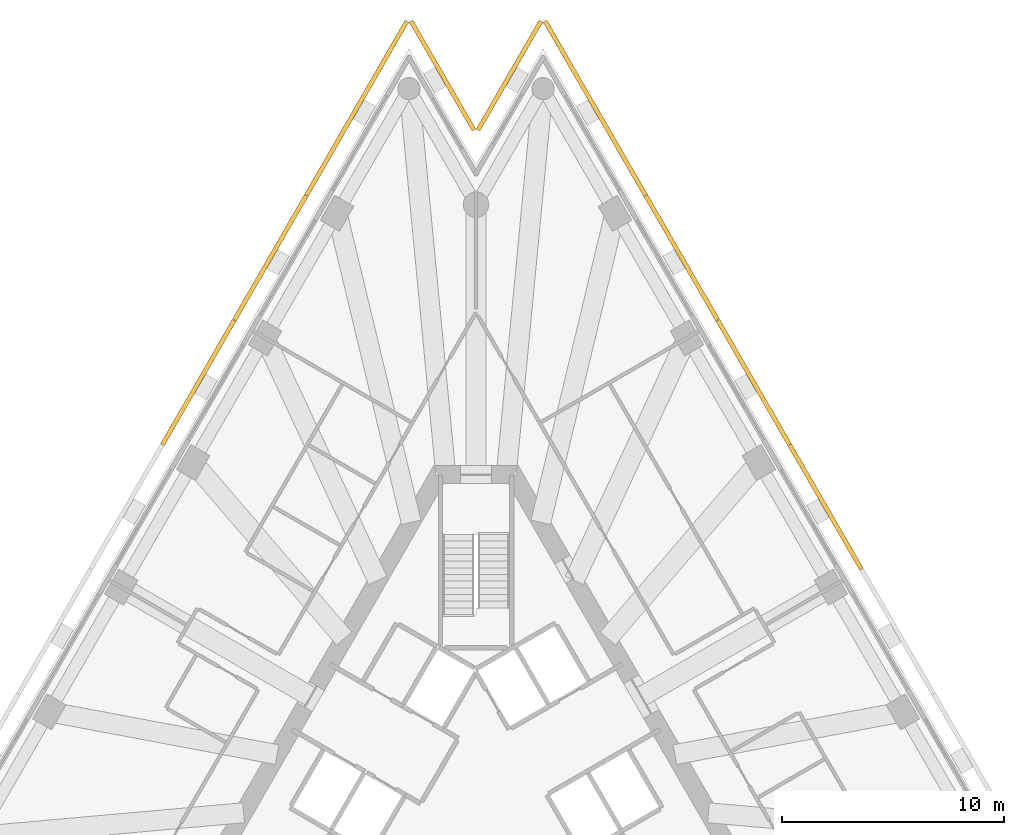
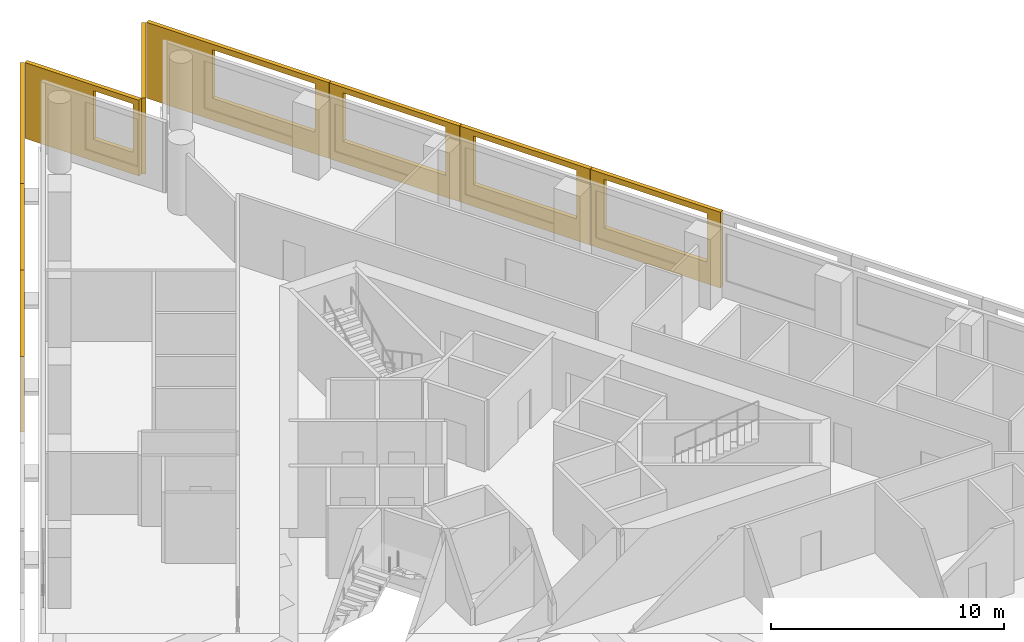
# One storey, part 9 of 9: 9 shading devices.
"""IFC4 building model written with IfcOpenShell, lengths in metres."""

from ifc_helpers import new_model, si_unit, direction, frame, origin, place, context, subcontext, project, spatial, polyline, outline, extrude, material, layer, layer_set, type_object, element, save


model = new_model("IFC4")

# Units and contexts
model_context = context("Model", 3, precision=1e-05, world=origin(), true_north=direction((0.0, 1.0)))
body_context = subcontext(model_context, "Body", "Model", "MODEL_VIEW")
ifc_project = project(units=[si_unit("LENGTHUNIT", "METRE"), si_unit("AREAUNIT", "SQUARE_METRE"), si_unit("VOLUMEUNIT", "CUBIC_METRE"), si_unit("PLANEANGLEUNIT", "RADIAN"), si_unit("MASSUNIT", "GRAM", prefix="KILO")], contexts=[model_context])

# Site, building, storey
site_placement = place(None, origin())
site = spatial("IfcSite", under=ifc_project, at=site_placement, CompositionType="ELEMENT")
building_placement = place(site_placement, origin())
building = spatial("IfcBuilding", under=site, at=building_placement, Name="Triada Interchange Tower", CompositionType="ELEMENT")
storey_placement = place(building_placement, frame((0.0, 0.0, 164.300048828125)))
storey = spatial("IfcBuildingStorey", under=building, at=storey_placement, Name="L38", CompositionType="ELEMENT", Elevation=164.300048828125)

# Shading devices
ifc_material = material(Name="Concrete C50/60 precast", Category="concrete")
ifc_layer_1 = layer(ifc_material, 0.02001953125, Name="Exposed aggregate face")
ifc_layer_2 = layer(ifc_material, 0.179931640625, Name="Precast concrete screen")
ifc_layer_set = layer_set([ifc_layer_1, ifc_layer_2], Name="Outer skin screen panel 3980")
shading_device_type = type_object("IfcShadingDeviceType", Name="Outer skin screen panel 3980", PredefinedType="SHUTTER", material=ifc_layer_set)
shading_device_1_placement = place(storey_placement, frame((-3.02197265625, 34.673095703125, -0.2900390625), z_axis=(0.0, 0.0, 1.0), x_axis=(-0.500002365587, -0.866024038008, 0.0)))
element("IfcShadingDevice", 1, at=shading_device_1_placement, inside=storey, type_object=shading_device_type, Name="Outer skin screen panel L38 01", PredefinedType="SHUTTER", context=body_context, shape_type="SweptSolid", body=[
    extrude(outline(polyline([(0.0, 0.0), (9.06005859375, 0.0), (9.06005859375, 3.97998046875), (0.0, 3.97998046875), (0.0, 0.0)]), holes=[polyline([(3.279541015625, 1.139892578125), (3.279541015625, 3.68994140625), (8.379638671875, 3.68994140625), (8.379638671875, 1.139892578125), (3.279541015625, 1.139892578125)])]), frame((0.0, 0.0, 0.0), z_axis=(0.0, -1.0, 0.0), x_axis=(1.0, 0.0, 0.0)), (0.0, 0.0, 1.0), 0.199951171875),
])
shading_device_2_placement = place(storey_placement, frame((-7.56201171875, 26.81005859375, -0.2900390625), z_axis=(0.0, 0.0, 1.0), x_axis=(-0.499933919793, -0.866063551849, 0.0)))
element("IfcShadingDevice", 2, at=shading_device_2_placement, inside=storey, type_object=shading_device_type, Name="Outer skin screen panel L38 02", PredefinedType="SHUTTER", context=body_context, shape_type="SweptSolid", body=[
    extrude(outline(polyline([(0.0, 0.0), (6.462646484375, 0.0), (6.462646484375, 3.97998046875), (0.0, 3.97998046875), (0.0, 0.0)]), holes=[polyline([(0.681396484375, 1.139892578125), (0.681396484375, 3.68994140625), (5.78125, 3.68994140625), (5.78125, 1.139892578125), (0.681396484375, 1.139892578125)])]), frame((0.0, 0.0, 0.0), z_axis=(0.0, -1.0, 0.0), x_axis=(1.0, 0.0, 0.0)), (0.0, 0.0, 1.0), 0.199951171875),
])
shading_device_3_placement = place(storey_placement, frame((-10.802978515625, 21.196044921875, -0.2900390625), z_axis=(0.0, 0.0, 1.0), x_axis=(-0.499950276492, -0.866054109762, 0.0)))
element("IfcShadingDevice", 3, at=shading_device_3_placement, inside=storey, type_object=shading_device_type, Name="Outer skin screen panel L38 03", PredefinedType="SHUTTER", context=body_context, shape_type="SweptSolid", body=[
    extrude(outline(polyline([(0.0, 0.0), (6.462646484375, 0.0), (6.462646484375, 3.97998046875), (0.0, 3.97998046875), (0.0, 0.0)]), holes=[polyline([(0.68115234375, 1.139892578125), (0.68115234375, 3.68994140625), (5.781005859375, 3.68994140625), (5.781005859375, 1.139892578125), (0.68115234375, 1.139892578125)])]), frame((0.0, 0.0, 0.0), z_axis=(0.0, -1.0, 0.0), x_axis=(1.0, 0.0, 0.0)), (0.0, 0.0, 1.0), 0.199951171875),
])
shading_device_4_placement = place(storey_placement, frame((17.27587890625, 9.986083984375, -0.2900390625), z_axis=(0.0, 0.0, 1.0), x_axis=(-0.500129044967, 0.865950886818, 0.0)))
element("IfcShadingDevice", 4, at=shading_device_4_placement, inside=storey, type_object=shading_device_type, Name="Outer skin screen panel L38 25", PredefinedType="SHUTTER", context=body_context, shape_type="SweptSolid", body=[
    extrude(outline(polyline([(0.0, 0.0), (6.462158203125, 0.0), (6.462158203125, 3.97998046875), (0.0, 3.97998046875), (0.0, 0.0)]), holes=[polyline([(0.681396484375, 1.139892578125), (0.681396484375, 3.68994140625), (5.781494140625, 3.68994140625), (5.781494140625, 1.139892578125), (0.681396484375, 1.139892578125)])]), frame((0.0, 0.0, 0.0), z_axis=(0.0, -1.0, 0.0), x_axis=(1.0, 0.0, 0.0)), (0.0, 0.0, 1.0), 0.199951171875),
])
shading_device_5_placement = place(storey_placement, frame((14.033935546875, 15.59912109375, -0.2900390625), z_axis=(0.0, 0.0, 1.0), x_axis=(-0.499950276492, 0.866054109762, 0.0)))
element("IfcShadingDevice", 5, at=shading_device_5_placement, inside=storey, type_object=shading_device_type, Name="Outer skin screen panel L38 26", PredefinedType="SHUTTER", context=body_context, shape_type="SweptSolid", body=[
    extrude(outline(polyline([(0.0, 0.0), (6.462646484375, 0.0), (6.462646484375, 3.97998046875), (0.0, 3.97998046875), (0.0, 0.0)]), holes=[polyline([(0.68115234375, 1.139892578125), (0.68115234375, 3.68994140625), (5.78125, 3.68994140625), (5.78125, 1.139892578125), (0.68115234375, 1.139892578125)])]), frame((0.0, 0.0, 0.0), z_axis=(0.0, -1.0, 0.0), x_axis=(1.0, 0.0, 0.0)), (0.0, 0.0, 1.0), 0.199951171875),
])
shading_device_6_placement = place(storey_placement, frame((10.79296875, 21.212890625, -0.2900390625), z_axis=(0.0, 0.0, 1.0), x_axis=(-0.499933919793, 0.866063551849, 0.0)))
element("IfcShadingDevice", 6, at=shading_device_6_placement, inside=storey, type_object=shading_device_type, Name="Outer skin screen panel L38 27", PredefinedType="SHUTTER", context=body_context, shape_type="SweptSolid", body=[
    extrude(outline(polyline([(0.0, 0.0), (6.462646484375, 0.0), (6.462646484375, 3.97998046875), (0.0, 3.97998046875), (0.0, 0.0)]), holes=[polyline([(0.680908203125, 1.139892578125), (0.680908203125, 3.68994140625), (5.781005859375, 3.68994140625), (5.781005859375, 1.139892578125), (0.680908203125, 1.139892578125)])]), frame((0.0, 0.0, 0.0), z_axis=(0.0, -1.0, 0.0), x_axis=(1.0, 0.0, 0.0)), (0.0, 0.0, 1.0), 0.199951171875),
])
shading_device_7_placement = place(storey_placement, frame((7.552001953125, 26.826904296875, -0.2900390625), z_axis=(0.0, 0.0, 1.0), x_axis=(-0.500002365587, 0.866024038008, 0.0)))
element("IfcShadingDevice", 7, at=shading_device_7_placement, inside=storey, type_object=shading_device_type, Name="Outer skin screen panel L38 28", PredefinedType="SHUTTER", context=body_context, shape_type="SweptSolid", body=[
    extrude(outline(polyline([(0.0, 0.0), (9.06005859375, 0.0), (9.06005859375, 3.97998046875), (0.0, 3.97998046875), (0.0, 0.0)]), holes=[polyline([(0.6806640625, 1.139892578125), (0.6806640625, 3.68994140625), (5.78076171875, 3.68994140625), (5.78076171875, 1.139892578125), (0.6806640625, 1.139892578125)])]), frame((0.0, 0.0, 0.0), z_axis=(0.0, -1.0, 0.0), x_axis=(1.0, 0.0, 0.0)), (0.0, 0.0, 1.0), 0.199951171875),
])
shading_device_8_placement = place(storey_placement, frame((3.011962890625, 34.673095703125, -0.2900390625), z_axis=(0.0, 0.0, 1.0), x_axis=(-0.50012397912, -0.865953812572, 0.0)))
element("IfcShadingDevice", 8, at=shading_device_8_placement, inside=storey, type_object=shading_device_type, Name="Outer skin screen panel L38 29", PredefinedType="SHUTTER", context=body_context, shape_type="SweptSolid", body=[
    extrude(outline(polyline([(0.0, 0.0), (5.66650390625, 0.0), (5.66650390625, 3.97998046875), (0.0, 3.97998046875), (0.0, 0.0)]), holes=[polyline([(3.175537109375, 1.139892578125), (3.175537109375, 3.68994140625), (5.3671875, 3.68994140625), (5.3671875, 1.139892578125), (3.175537109375, 1.139892578125)])]), frame((0.0, 0.0, 0.0), z_axis=(0.0, -1.0, 0.0), x_axis=(1.0, 0.0, 0.0)), (0.0, 0.0, 1.0), 0.199951171875),
])
shading_device_9_placement = place(storey_placement, frame((-0.177978515625, 29.76611328125, -0.2900390625), z_axis=(0.0, 0.0, 1.0), x_axis=(-0.50012397912, 0.865953812572, 0.0)))
element("IfcShadingDevice", 9, at=shading_device_9_placement, inside=storey, type_object=shading_device_type, Name="Outer skin screen panel L38 30", PredefinedType="SHUTTER", context=body_context, shape_type="SweptSolid", body=[
    extrude(outline(polyline([(0.0, 0.0), (5.66650390625, 0.0), (5.66650390625, 3.97998046875), (0.0, 3.97998046875), (0.0, 0.0)]), holes=[polyline([(0.300048828125, 1.139892578125), (0.300048828125, 3.68994140625), (2.2578125, 3.68994140625), (2.2578125, 1.139892578125), (0.300048828125, 1.139892578125)])]), frame((0.0, 0.0, 0.0), z_axis=(0.0, -1.0, 0.0), x_axis=(1.0, 0.0, 0.0)), (0.0, 0.0, 1.0), 0.199951171875),
])

save(model, "model.ifc")
